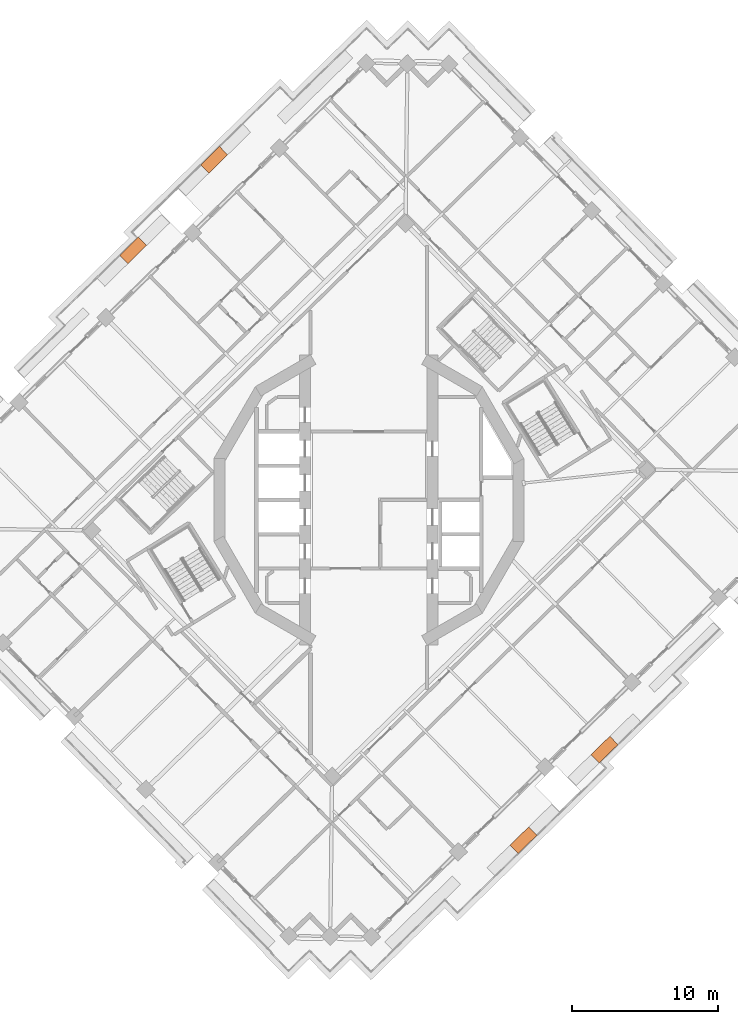
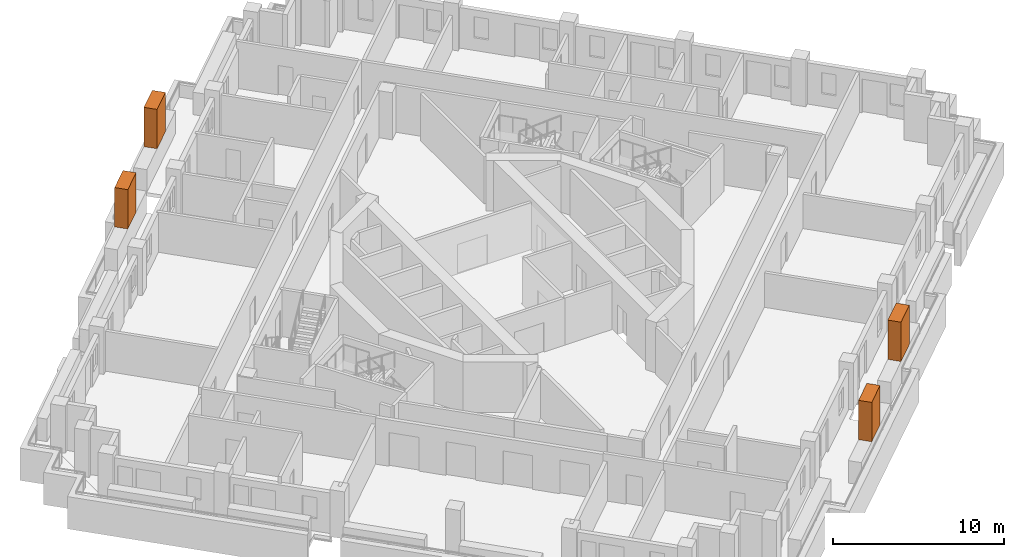
# One storey, part 17 of 17: 4 proxies.
"""IFC4 building model written with IfcOpenShell, lengths in metres."""

import ifcopenshell
import ifcopenshell.guid

model = None  # the IFC model being written
_history = None  # IfcOwnerHistory: only IFC2X3 demands one
_inside = {}  # id of a spatial element -> (the spatial element, [elements in it])
_under = {}  # id of a project, library or spatial element -> (it, [spatial elements below it])
_declared = {}  # id of a project -> (the project, [libraries it declares])
_typed = {}  # id of a type object -> (the type object, [elements of that type])
_made_of = {}  # id of a material, layer set ... -> (it, [elements and type objects made of it])


def new_model(schema):
    """Start an empty IFC model of exactly this schema.

    Asked for "IFC4X3", IfcOpenShell would pick the latest addendum, in which some entities
    have other attributes; the version numbers below select the first issue.
    IFC2X3 requires an IfcOwnerHistory on every rooted entity: one is made here for all.
    """
    global model, _history
    if schema == "IFC4X3":
        model = ifcopenshell.file(schema_version=(4, 3, 0, 0))
    else:
        model = ifcopenshell.file(schema=schema)
    _inside.clear()
    _under.clear()
    _declared.clear()
    _typed.clear()
    _made_of.clear()
    _history = None
    if model.schema == "IFC2X3":
        org = make("IfcOrganization", Name="unknown")
        user = make(
            "IfcPersonAndOrganization",
            ThePerson=make("IfcPerson", FamilyName="unknown"),
            TheOrganization=org,
        )
        app = make(
            "IfcApplication",
            ApplicationDeveloper=org,
            Version="unknown",
            ApplicationFullName="unknown",
            ApplicationIdentifier="unknown",
        )
        _history = make(
            "IfcOwnerHistory",
            OwningUser=user,
            OwningApplication=app,
            ChangeAction="ADDED",
            CreationDate=0,
        )
    return model


def make(cls, **values):
    """One entity of the class cls with the attributes given. An attribute that is None is left unset."""
    return model.create_entity(
        cls, **{name: value for name, value in values.items() if value is not None}
    )


def rooted(cls, **values):
    """An entity with a GlobalId (a new one), such as an element, a storey or a relation."""
    return make(cls, GlobalId=ifcopenshell.guid.new(), OwnerHistory=_history, **values)


def si_unit(unit_type, name, prefix=None):
    """IfcSIUnit, for example si_unit("LENGTHUNIT", "METRE", prefix="MILLI")."""
    return make("IfcSIUnit", UnitType=unit_type, Prefix=prefix, Name=name)


def assignment(units):
    """IfcUnitAssignment: the units of a project."""
    return None if units is None else make("IfcUnitAssignment", Units=units)


def point(xyz):
    """IfcCartesianPoint."""
    return None if xyz is None else make("IfcCartesianPoint", Coordinates=xyz)


def direction(xyz):
    """IfcDirection."""
    return None if xyz is None else make("IfcDirection", DirectionRatios=xyz)


def frame(location, z_axis=None, x_axis=None):
    """IfcAxis2Placement3D, a coordinate frame: its origin and axes. An axis left out is left unset."""
    return make(
        "IfcAxis2Placement3D",
        Location=point(location),
        Axis=direction(z_axis),
        RefDirection=direction(x_axis),
    )


def frame_2d(location, x_axis=None):
    """IfcAxis2Placement2D, a coordinate frame in the plane: its origin and x axis."""
    return make(
        "IfcAxis2Placement2D", Location=point(location), RefDirection=direction(x_axis)
    )


def origin():
    """The frame at (0, 0, 0) with its axes left unset."""
    return frame((0.0, 0.0, 0.0))


def origin_2d():
    """The frame at (0, 0) in the plane with its x axis left unset."""
    return frame_2d((0.0, 0.0))


def place(relative_to, where):
    """IfcLocalPlacement: puts the frame where relative to a parent placement (None: the world)."""
    return make(
        "IfcLocalPlacement", PlacementRelTo=relative_to, RelativePlacement=where
    )


def context(
    kind, dimensions, precision=None, world=None, true_north=None, identifier=None
):
    """IfcGeometricRepresentationContext, for example the 3D "Model" context."""
    return make(
        "IfcGeometricRepresentationContext",
        ContextIdentifier=identifier,
        ContextType=kind,
        CoordinateSpaceDimension=dimensions,
        Precision=precision,
        WorldCoordinateSystem=world,
        TrueNorth=true_north,
    )


def subcontext(parent, identifier, kind, view, scale=None):
    """IfcGeometricRepresentationSubContext, for example "Body" below "Model"."""
    return make(
        "IfcGeometricRepresentationSubContext",
        ContextIdentifier=identifier,
        ContextType=kind,
        ParentContext=parent,
        TargetScale=scale,
        TargetView=view,
    )


def project(units=None, contexts=None):
    """IfcProject with its units and contexts."""
    return rooted(
        "IfcProject",
        Name="project",
        RepresentationContexts=contexts,
        UnitsInContext=assignment(units),
    )


def spatial(cls, under=None, at=None, **own):
    """A site, building, storey or space (cls), placed at a placement, below another one or the project."""
    s = rooted(cls, ObjectPlacement=at, **own)
    if under is not None:
        _under.setdefault(under.id(), (under, []))[1].append(s)
    return s


def profile(cls, at=None, kind="AREA", **sizes):
    """A parametric profile (cls). Its sizes go by their IFC names, for example OverallWidth=200.0."""
    return make(cls, ProfileType=kind, Position=at, **sizes)


def rectangle(**sizes):
    """IfcRectangleProfileDef."""
    return profile("IfcRectangleProfileDef", **sizes)


def extrude(swept, where, along, depth):
    """IfcExtrudedAreaSolid: the profile swept, set in the frame where, extruded along a direction by depth."""
    return make(
        "IfcExtrudedAreaSolid",
        SweptArea=swept,
        Position=where,
        ExtrudedDirection=direction(along),
        Depth=depth,
    )


def shape(context_of_items, identifier, shape_type, items):
    """IfcShapeRepresentation: the items that make up one representation, for example the "Body"."""
    return make(
        "IfcShapeRepresentation",
        ContextOfItems=context_of_items,
        RepresentationIdentifier=identifier,
        RepresentationType=shape_type,
        Items=items,
    )


def made_of(thing, what):
    """Note that an element or type object is made of a material, layer set ...; save() writes the relation."""
    if what is not None:
        _made_of.setdefault(what.id(), (what, []))[1].append(thing)
    return thing


def element(
    cls,
    number,
    at=None,
    inside=None,
    cuts=None,
    type_object=None,
    material=None,
    context=None,
    identifier="Body",
    shape_type=None,
    held_by="IfcProductDefinitionShape",
    body=None,
    shapes=None,
    **own,
):
    """One element of the class cls, such as IfcWall. Its Tag is "e" and its number.

    at: its placement. inside: the storey or other place that contains it. cuts: it is an
    opening in that element (IfcRelVoidsElement). A single representation is given by context,
    identifier, shape_type and body (its items); several are given by shapes. held_by: the class
    of the entity that holds the representations. save() writes the other relations.
    """
    e = rooted(cls, Tag="e%d" % number, ObjectPlacement=at, **own)
    if body is not None:
        shapes = [shape(context, identifier, shape_type, body)]
    if shapes is not None:
        e.Representation = make(held_by, Representations=shapes)
    if inside is not None:
        _inside.setdefault(inside.id(), (inside, []))[1].append(e)
    if cuts is not None:
        rooted(
            "IfcRelVoidsElement", RelatingBuildingElement=cuts, RelatedOpeningElement=e
        )
    if type_object is not None:
        _typed.setdefault(type_object.id(), (type_object, []))[1].append(e)
    return made_of(e, material)


def aggregate(whole, parts):
    """IfcRelAggregates: a whole, such as a stair, and the parts it consists of."""
    return rooted("IfcRelAggregates", RelatingObject=whole, RelatedObjects=parts)


def save(model, path):
    """Write the relations noted so far, then the file.

    IfcRelAggregates (storeys below a building ...), IfcRelContainedInSpatialStructure (elements
    in a storey), IfcRelDefinesByType, IfcRelAssociatesMaterial and IfcRelDeclares: one each for
    every whole, place, type object, material and project.
    """
    for whole, parts in _under.values():
        aggregate(whole, parts)
    for where, things in _inside.values():
        rooted(
            "IfcRelContainedInSpatialStructure",
            RelatedElements=things,
            RelatingStructure=where,
        )
    for kind, things in _typed.values():
        rooted("IfcRelDefinesByType", RelatedObjects=things, RelatingType=kind)
    for what, things in _made_of.values():
        rooted("IfcRelAssociatesMaterial", RelatedObjects=things, RelatingMaterial=what)
    for by, libraries in _declared.values():
        rooted("IfcRelDeclares", RelatingContext=by, RelatedDefinitions=libraries)
    model.write(path)


model = new_model("IFC4")

# Units and contexts
model_context = context("Model", 3, precision=1e-05, world=origin(), true_north=direction((0.0, 1.0)))
body_context = subcontext(model_context, "Body", "Model", "MODEL_VIEW")
ifc_project = project(units=[si_unit("LENGTHUNIT", "METRE"), si_unit("AREAUNIT", "SQUARE_METRE"), si_unit("VOLUMEUNIT", "CUBIC_METRE"), si_unit("PLANEANGLEUNIT", "RADIAN"), si_unit("MASSUNIT", "GRAM", prefix="KILO")], contexts=[model_context])

# Site, building, storey
site_placement = place(None, origin())
site = spatial("IfcSite", under=ifc_project, at=site_placement, CompositionType="ELEMENT")
building_placement = place(site_placement, origin())
building = spatial("IfcBuilding", under=site, at=building_placement, Name="Cantera Rosa Tower", CompositionType="ELEMENT")
storey_placement = place(building_placement, frame((0.0, 0.0, 237.800048828125)))
storey = spatial("IfcBuildingStorey", under=building, at=storey_placement, Name="L52", CompositionType="ELEMENT", Elevation=237.800048828125)

# Proxies
for number, where, z_axis, x_axis, name in (
    (1, (-10.6044921875, 23.332275390625, 1.60009765625), (0.0, 0.0, 1.0), (-0.71528629107, -0.698831540364, 0.0), "TREE L52-07"),
    (2, (-16.164794921875, 17.11767578125, 1.60009765625), (0.0, 0.0, 1.0), (-0.71528629107, -0.698831540364, 0.0), "TREE L52-08"),
    (3, (10.6044921875, -23.332275390625, 1.60009765625), (0.0, 0.0, 1.0), (0.71528629107, 0.698831540364, 0.0), "TREE L52-17"),
    (4, (16.164794921875, -17.11767578125, 1.60009765625), (0.0, 0.0, 1.0), (0.71528629107, 0.698831540364, 0.0), "TREE L52-18"),
):
    element("IfcBuildingElementProxy", number, at=place(storey_placement, frame(where, z_axis=z_axis, x_axis=x_axis)), inside=storey, Name=name, ObjectType="TREE", PredefinedType="USERDEFINED", context=body_context, shape_type="SweptSolid", body=[
        extrude(rectangle(XDim=1.800048828125, YDim=0.800048828125, at=origin_2d()), origin(), (0.0, 0.0, 1.0), 2.800048828125),
    ])

save(model, "model.ifc")
